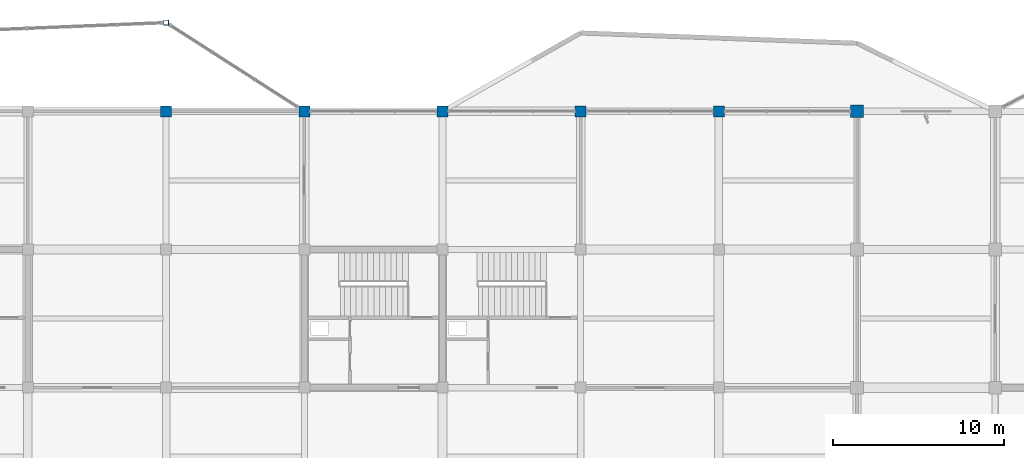
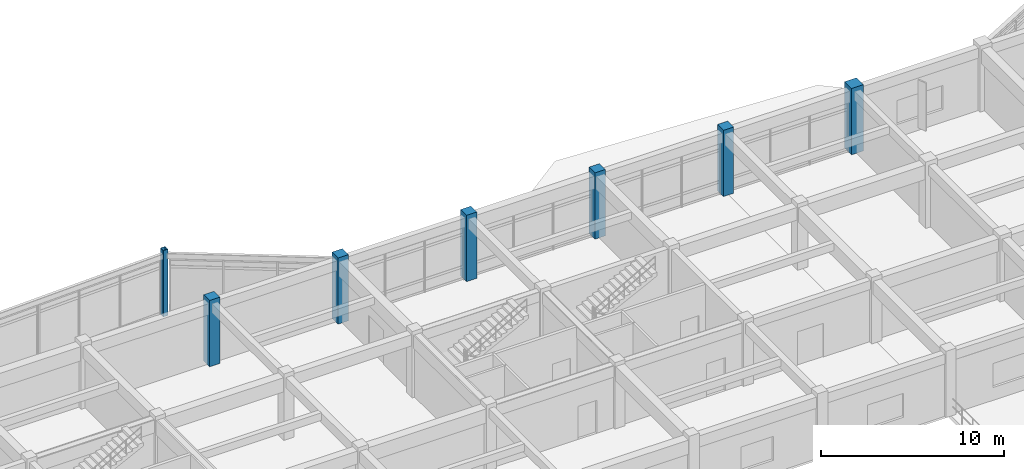
# One storey, part 12 of 70: 7 columns.
"""IFC4 building model written with IfcOpenShell, lengths in metres."""

from ifc_helpers import new_model, si_unit, direction, frame, origin, origin_2d, place, context, subcontext, project, spatial, rectangle, hollow_rectangle, extrude, material, material_profile, profile_set, type_object, element, save


model = new_model("IFC4")

# Units and contexts
model_context = context("Model", 3, precision=1e-05, world=origin(), true_north=direction((0.0, 1.0)))
body_context = subcontext(model_context, "Body", "Model", "MODEL_VIEW")
ifc_project = project(units=[si_unit("LENGTHUNIT", "METRE"), si_unit("AREAUNIT", "SQUARE_METRE"), si_unit("VOLUMEUNIT", "CUBIC_METRE"), si_unit("PLANEANGLEUNIT", "RADIAN"), si_unit("MASSUNIT", "GRAM", prefix="KILO")], contexts=[model_context])

# Site, building, storey
site_placement = place(None, origin())
site = spatial("IfcSite", under=ifc_project, at=site_placement, CompositionType="ELEMENT")
building_placement = place(site_placement, origin())
building = spatial("IfcBuilding", under=site, at=building_placement, Name="Vaudrelin Polytechnic", CompositionType="ELEMENT")
storey_placement = place(building_placement, frame((0.0, 0.0, 14.110107421875)))
storey = spatial("IfcBuildingStorey", under=building, at=storey_placement, Name="L03", CompositionType="ELEMENT", Elevation=14.110107421875)

# Columns
ifc_material_1 = material(Name="Steel CSA G40.21 350WT", Category="steel")
ifc_material_profile_1 = material_profile(ifc_material_1, hollow_rectangle(XDim=0.304931640625, YDim=0.304931640625, WallThickness=0.0126953125, InnerFilletRadius=0.0126953125, OuterFilletRadius=0.025390625, at=origin_2d()), Name="HSS305x305x12.7")
ifc_profile_set_1 = profile_set([ifc_material_profile_1], Name="Steel CSA G40.21 350WT")
column_type_1 = type_object("IfcColumnType", Name="COL-C-HSS305", PredefinedType="COLUMN", material=ifc_profile_set_1)
column_1_placement = place(storey_placement, frame((97.199951171875, 126.699951171875, 0.0), z_axis=(0.0, 0.0, 1.0), x_axis=(1.0, 0.0, 0.0)))
element("IfcColumn", 1, at=column_1_placement, inside=storey, type_object=column_type_1, Name="Deconstructivist column L03 N_OR2_2", PredefinedType="COLUMN", context=body_context, shape_type="SweptSolid", body=[
    extrude(hollow_rectangle(XDim=0.304931640625, YDim=0.304931640625, WallThickness=0.0126953125, InnerFilletRadius=0.0126953125, OuterFilletRadius=0.025390625, at=origin_2d()), origin(), (0.0, 0.0, 1.0), 4.419921875),
])
ifc_material_2 = material(Name="Concrete 40 MPa", Category="concrete")
ifc_material_profile_2 = material_profile(ifc_material_2, rectangle(XDim=0.64990234375, YDim=0.64990234375, at=origin_2d()), Name="RC650x650")
ifc_profile_set_2 = profile_set([ifc_material_profile_2], Name="Concrete 40 MPa")
column_type_2 = type_object("IfcColumnType", Name="COL-C-RC650", PredefinedType="COLUMN", material=ifc_profile_set_2)
for number, where, z_axis, x_axis, name in (
    (2, (97.199951171875, 121.5, 0.0), (0.0, 0.0, 1.0), (1.0, 0.0, 0.0), "Column L03 13-16"),
    (3, (105.300048828125, 121.5, 0.0), (0.0, 0.0, 1.0), (1.0, 0.0, 0.0), "Column L03 14-16"),
    (4, (113.39990234375, 121.5, 0.0), (0.0, 0.0, 1.0), (1.0, 0.0, 0.0), "Column L03 15-16"),
    (5, (121.5, 121.5, 0.0), (0.0, 0.0, 1.0), (1.0, 0.0, 0.0), "Column L03 16-16"),
    (6, (129.60009765625, 121.5, 0.0), (0.0, 0.0, 1.0), (1.0, 0.0, 0.0), "Column L03 17-16"),
):
    element("IfcColumn", number, at=place(storey_placement, frame(where, z_axis=z_axis, x_axis=x_axis)), inside=storey, type_object=column_type_2, Name=name, PredefinedType="COLUMN", context=body_context, shape_type="SweptSolid", body=[
        extrude(rectangle(XDim=0.64990234375, YDim=0.64990234375, at=origin_2d()), origin(), (0.0, 0.0, 1.0), 4.419921875),
    ])
ifc_material_3 = material(Name="Concrete 50 MPa", Category="concrete")
ifc_material_profile_3 = material_profile(ifc_material_3, rectangle(XDim=0.75, YDim=0.75, at=origin_2d()), Name="RC750x750")
ifc_profile_set_3 = profile_set([ifc_material_profile_3], Name="Concrete 50 MPa")
column_type_3 = type_object("IfcColumnType", Name="COL-C-RC750", PredefinedType="COLUMN", material=ifc_profile_set_3)
column_2_placement = place(storey_placement, frame((137.699951171875, 121.5, 0.0), z_axis=(0.0, 0.0, 1.0), x_axis=(1.0, 0.0, 0.0)))
element("IfcColumn", 7, at=column_2_placement, inside=storey, type_object=column_type_3, Name="Column L03 18-16", PredefinedType="COLUMN", context=body_context, shape_type="SweptSolid", body=[
    extrude(rectangle(XDim=0.75, YDim=0.75, at=origin_2d()), origin(), (0.0, 0.0, 1.0), 4.419921875),
])

save(model, "model.ifc")
